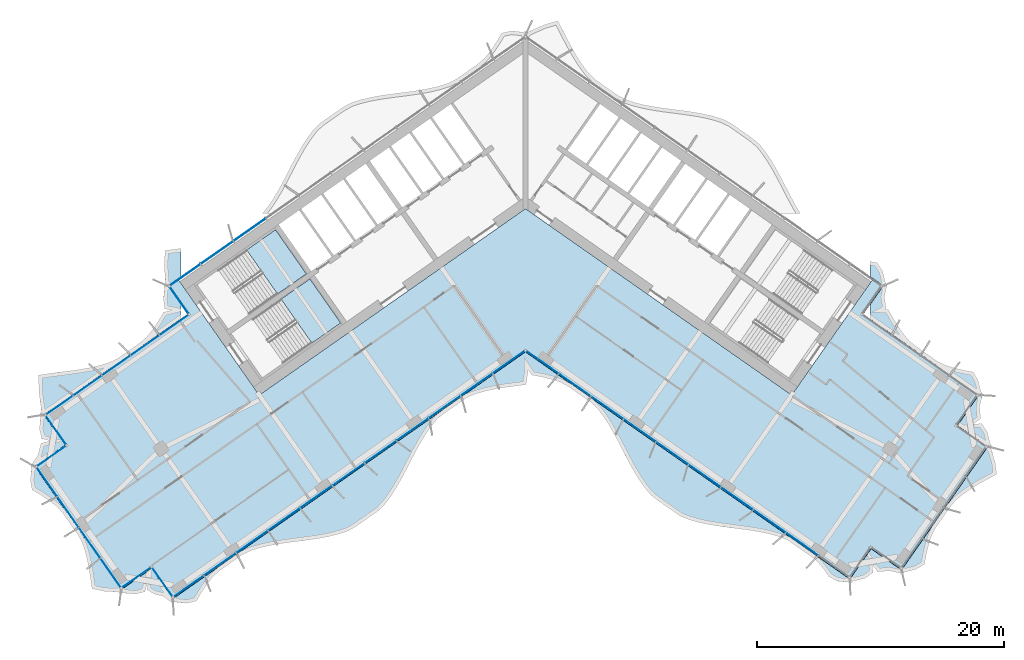
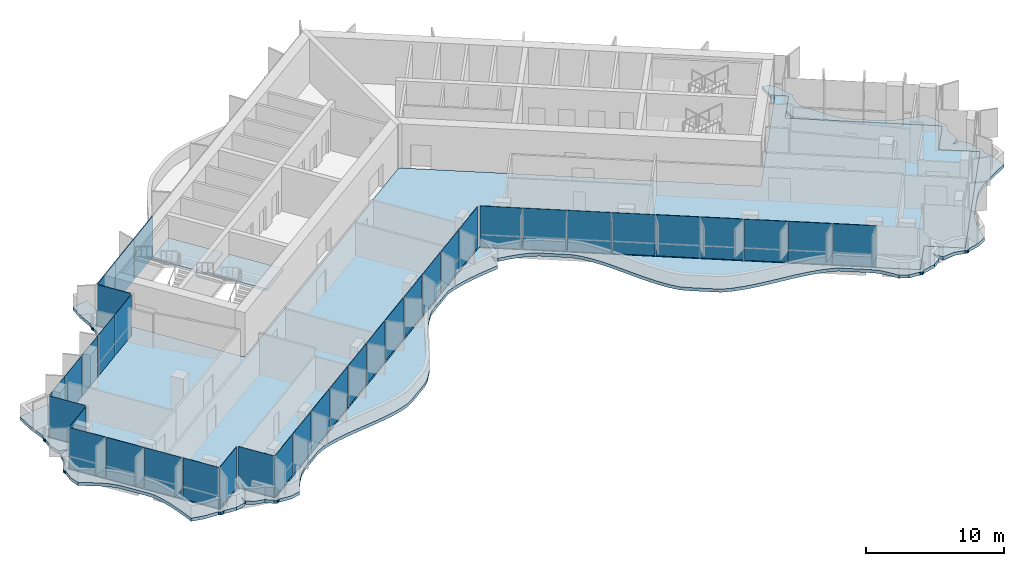
# One storey, part 10 of 21: 37 plates, 4 slabs, 4 elements without a shape of their own.
"""IFC4 building model written with IfcOpenShell, lengths in metres."""

from ifc_helpers import new_model, si_unit, direction, frame, origin, origin_2d, place, context, subcontext, project, spatial, polyline, rectangle, outline, extrude, material, layer, layer_set, type_object, element, aggregate, save


model = new_model("IFC4")

# Units and contexts
model_context = context("Model", 3, precision=1e-05, world=origin(), true_north=direction((0.0, 1.0)))
body_context = subcontext(model_context, "Body", "Model", "MODEL_VIEW")
ifc_project = project(units=[si_unit("LENGTHUNIT", "METRE"), si_unit("AREAUNIT", "SQUARE_METRE"), si_unit("VOLUMEUNIT", "CUBIC_METRE"), si_unit("PLANEANGLEUNIT", "RADIAN"), si_unit("MASSUNIT", "GRAM", prefix="KILO")], contexts=[model_context])

# Site, building, storey
site_placement = place(None, origin())
site = spatial("IfcSite", under=ifc_project, at=site_placement, CompositionType="ELEMENT")
building_placement = place(site_placement, origin())
building = spatial("IfcBuilding", under=site, at=building_placement, Name="Tel Ilan Convention Tower", CompositionType="ELEMENT")
storey_placement = place(building_placement, frame((0.0, 0.0, 151.5)))
storey = spatial("IfcBuildingStorey", under=building, at=storey_placement, Name="L34", CompositionType="ELEMENT", Elevation=151.5)

# Curtain wall, plates
ifc_material_1 = material(Name="Aluminium, bronze anodised", Category="aluminium")
curtain_wall_type_1 = type_object("IfcCurtainWallType", Name="CW4 STICK CURTAIN WALL, OFFICE TINTED GLASS", PredefinedType="NOTDEFINED", material=ifc_material_1)
curtain_wall_1_placement = place(storey_placement, origin())
curtain_wall_1 = element("IfcCurtainWall", 1, at=curtain_wall_1_placement, inside=storey, type_object=curtain_wall_type_1, Name="Curtain wall CW4-27.02", PredefinedType="NOTDEFINED")
ifc_material_2 = material(Name="Glass, bronze tinted, two-ply", Category="glass")
ifc_layer_1 = layer(ifc_material_2, 0.028076171875)
ifc_layer_set_1 = layer_set([ifc_layer_1], Name="CW GLASS PANEL 28")
plate_type_1 = type_object("IfcPlateType", Name="CW GLASS PANEL 28", PredefinedType="CURTAIN_PANEL", material=ifc_layer_set_1)
plate_1_placement = place(storey_placement, frame((-28.44677734375, -10.640625, 0.0), z_axis=(0.0, 0.0, 1.0), x_axis=(-0.819152044289, -0.573576436351, 0.0)))
plate_1 = element("IfcPlate", 2, at=plate_1_placement, type_object=plate_type_1, Name="Glass panel", PredefinedType="CURTAIN_PANEL", context=body_context, shape_type="SweptSolid", body=[
    extrude(rectangle(XDim=2.80908203125, YDim=0.028076171875, at=origin_2d()), origin(), (0.0, 0.0, 1.0), 3.6201171875),
])
plate_2_placement = place(storey_placement, frame((-30.784912109375, -12.278076171875, 0.0), z_axis=(0.0, 0.0, 1.0), x_axis=(-0.819152044289, -0.573576436351, 0.0)))
plate_2 = element("IfcPlate", 3, at=plate_2_placement, type_object=plate_type_1, Name="Glass panel", PredefinedType="CURTAIN_PANEL", context=body_context, shape_type="SweptSolid", body=[
    extrude(rectangle(XDim=2.780029296875, YDim=0.028076171875, at=origin_2d()), origin(), (0.0, 0.0, 1.0), 3.6201171875),
])
plate_3_placement = place(storey_placement, frame((-33.111328125, -13.906982421875, 0.0), z_axis=(0.0, 0.0, 1.0), x_axis=(-0.819152044289, -0.573576436351, 0.0)))
plate_3 = element("IfcPlate", 4, at=plate_3_placement, type_object=plate_type_1, Name="Glass panel", PredefinedType="CURTAIN_PANEL", context=body_context, shape_type="SweptSolid", body=[
    extrude(rectangle(XDim=2.780029296875, YDim=0.028076171875, at=origin_2d()), origin(), (0.0, 0.0, 1.0), 3.6201171875),
])
plate_4_placement = place(storey_placement, frame((-35.437744140625, -15.535888671875, 0.0), z_axis=(0.0, 0.0, 1.0), x_axis=(-0.819152044289, -0.573576436351, 0.0)))
plate_4 = element("IfcPlate", 5, at=plate_4_placement, type_object=plate_type_1, Name="Glass panel", PredefinedType="CURTAIN_PANEL", context=body_context, shape_type="SweptSolid", body=[
    extrude(rectangle(XDim=2.780029296875, YDim=0.028076171875, at=origin_2d()), origin(), (0.0, 0.0, 1.0), 3.6201171875),
])
plate_5_placement = place(storey_placement, frame((-37.7255859375, -17.137939453125, 0.0), z_axis=(0.0, 0.0, 1.0), x_axis=(-0.819152044289, -0.573576436351, 0.0)))
plate_5 = element("IfcPlate", 6, at=plate_5_placement, type_object=plate_type_1, Name="Glass panel", PredefinedType="CURTAIN_PANEL", context=body_context, shape_type="SweptSolid", body=[
    extrude(rectangle(XDim=2.68603515625, YDim=0.028076171875, at=origin_2d()), origin(), (0.0, 0.0, 1.0), 3.6201171875),
])
plate_6_placement = place(storey_placement, frame((-38.007080078125, -19.119140625, 0.0), z_axis=(0.0, 0.0, 1.0), x_axis=(0.573576436351, -0.819152044289, 0.0)))
plate_6 = element("IfcPlate", 7, at=plate_6_placement, type_object=plate_type_1, Name="Glass panel", PredefinedType="CURTAIN_PANEL", context=body_context, shape_type="SweptSolid", body=[
    extrude(rectangle(XDim=2.875, YDim=0.028076171875, at=origin_2d()), origin(), (0.0, 0.0, 1.0), 3.6201171875),
])
plate_7_placement = place(storey_placement, frame((-38.385009765625, -21.261962890625, 0.0), z_axis=(0.0, 0.0, 1.0), x_axis=(-0.819152044289, -0.573576436351, 0.0)))
plate_7 = element("IfcPlate", 8, at=plate_7_placement, type_object=plate_type_1, Name="Glass panel", PredefinedType="CURTAIN_PANEL", context=body_context, shape_type="SweptSolid", body=[
    extrude(rectangle(XDim=2.875, YDim=0.028076171875, at=origin_2d()), origin(), (0.0, 0.0, 1.0), 3.6201171875),
])
plate_8_placement = place(storey_placement, frame((-38.73779296875, -23.305908203125, 0.0), z_axis=(0.0, 0.0, 1.0), x_axis=(0.573576436351, -0.819152044289, 0.0)))
plate_8 = element("IfcPlate", 9, at=plate_8_placement, type_object=plate_type_1, Name="Glass panel", PredefinedType="CURTAIN_PANEL", context=body_context, shape_type="SweptSolid", body=[
    extrude(rectangle(XDim=2.89599609375, YDim=0.028076171875, at=origin_2d()), origin(), (0.0, 0.0, 1.0), 3.6201171875),
])
plate_9_placement = place(storey_placement, frame((-37.015380859375, -25.765869140625, 0.0), z_axis=(0.0, 0.0, 1.0), x_axis=(0.573576436351, -0.819152044289, 0.0)))
plate_9 = element("IfcPlate", 10, at=plate_9_placement, type_object=plate_type_1, Name="Glass panel", PredefinedType="CURTAIN_PANEL", context=body_context, shape_type="SweptSolid", body=[
    extrude(rectangle(XDim=2.989990234375, YDim=0.028076171875, at=origin_2d()), origin(), (0.0, 0.0, 1.0), 3.6201171875),
])
plate_10_placement = place(storey_placement, frame((-35.26611328125, -28.264404296875, 0.0), z_axis=(0.0, 0.0, 1.0), x_axis=(0.573576436351, -0.819152044289, 0.0)))
plate_10 = element("IfcPlate", 11, at=plate_10_placement, type_object=plate_type_1, Name="Glass panel", PredefinedType="CURTAIN_PANEL", context=body_context, shape_type="SweptSolid", body=[
    extrude(rectangle(XDim=2.989990234375, YDim=0.028076171875, at=origin_2d()), origin(), (0.0, 0.0, 1.0), 3.6201171875),
])
plate_11_placement = place(storey_placement, frame((-33.543701171875, -30.72412109375, 0.0), z_axis=(0.0, 0.0, 1.0), x_axis=(0.573576436351, -0.819152044289, 0.0)))
plate_11 = element("IfcPlate", 12, at=plate_11_placement, type_object=plate_type_1, Name="Glass panel", PredefinedType="CURTAIN_PANEL", context=body_context, shape_type="SweptSolid", body=[
    extrude(rectangle(XDim=2.89599609375, YDim=0.028076171875, at=origin_2d()), origin(), (0.0, 0.0, 1.0), 3.6201171875),
])
plate_12_placement = place(storey_placement, frame((-31.502197265625, -31.091796875, 0.0), z_axis=(0.0, 0.0, 1.0), x_axis=(0.819152044289, 0.573576436351, 0.0)))
plate_12 = element("IfcPlate", 13, at=plate_12_placement, type_object=plate_type_1, Name="Glass panel", PredefinedType="CURTAIN_PANEL", context=body_context, shape_type="SweptSolid", body=[
    extrude(rectangle(XDim=2.875, YDim=0.028076171875, at=origin_2d()), origin(), (0.0, 0.0, 1.0), 3.6201171875),
])
plate_13_placement = place(storey_placement, frame((-29.359375, -31.469482421875, 0.0), z_axis=(0.0, 0.0, 1.0), x_axis=(0.573576436351, -0.819152044289, 0.0)))
plate_13 = element("IfcPlate", 14, at=plate_13_placement, type_object=plate_type_1, Name="Glass panel", PredefinedType="CURTAIN_PANEL", context=body_context, shape_type="SweptSolid", body=[
    extrude(rectangle(XDim=2.875, YDim=0.028076171875, at=origin_2d()), origin(), (0.0, 0.0, 1.0), 3.6201171875),
])
plate_14_placement = place(storey_placement, frame((-27.26708984375, -31.78857421875, 0.0), z_axis=(0.0, 0.0, 1.0), x_axis=(0.819152044289, 0.573576436351, 0.0)))
plate_14 = element("IfcPlate", 15, at=plate_14_placement, type_object=plate_type_1, Name="Glass panel", PredefinedType="CURTAIN_PANEL", context=body_context, shape_type="SweptSolid", body=[
    extrude(rectangle(XDim=3.013916015625, YDim=0.028076171875, at=origin_2d()), origin(), (0.0, 0.0, 1.0), 3.6201171875),
])
plate_15_placement = place(storey_placement, frame((-24.71044921875, -29.99853515625, 0.0), z_axis=(0.0, 0.0, 1.0), x_axis=(0.819152044289, 0.573576436351, 0.0)))
plate_15 = element("IfcPlate", 16, at=plate_15_placement, type_object=plate_type_1, Name="Glass panel", PredefinedType="CURTAIN_PANEL", context=body_context, shape_type="SweptSolid", body=[
    extrude(rectangle(XDim=3.10791015625, YDim=0.028076171875, at=origin_2d()), origin(), (0.0, 0.0, 1.0), 3.6201171875),
])
plate_16_placement = place(storey_placement, frame((-22.115478515625, -28.181396484375, 0.0), z_axis=(0.0, 0.0, 1.0), x_axis=(0.819152044289, 0.573576436351, 0.0)))
plate_16 = element("IfcPlate", 17, at=plate_16_placement, type_object=plate_type_1, Name="Glass panel", PredefinedType="CURTAIN_PANEL", context=body_context, shape_type="SweptSolid", body=[
    extrude(rectangle(XDim=3.10791015625, YDim=0.028076171875, at=origin_2d()), origin(), (0.0, 0.0, 1.0), 3.6201171875),
])
plate_17_placement = place(storey_placement, frame((-19.520263671875, -26.3642578125, 0.0), z_axis=(0.0, 0.0, 1.0), x_axis=(0.819152044289, 0.573576436351, 0.0)))
plate_17 = element("IfcPlate", 18, at=plate_17_placement, type_object=plate_type_1, Name="Glass panel", PredefinedType="CURTAIN_PANEL", context=body_context, shape_type="SweptSolid", body=[
    extrude(rectangle(XDim=3.10791015625, YDim=0.028076171875, at=origin_2d()), origin(), (0.0, 0.0, 1.0), 3.6201171875),
])
plate_18_placement = place(storey_placement, frame((-16.92529296875, -24.54736328125, 0.0), z_axis=(0.0, 0.0, 1.0), x_axis=(0.819152044289, 0.573576436351, 0.0)))
plate_18 = element("IfcPlate", 19, at=plate_18_placement, type_object=plate_type_1, Name="Glass panel", PredefinedType="CURTAIN_PANEL", context=body_context, shape_type="SweptSolid", body=[
    extrude(rectangle(XDim=3.10791015625, YDim=0.028076171875, at=origin_2d()), origin(), (0.0, 0.0, 1.0), 3.6201171875),
])
plate_19_placement = place(storey_placement, frame((-14.330078125, -22.730224609375, 0.0), z_axis=(0.0, 0.0, 1.0), x_axis=(0.819152044289, 0.573576436351, 0.0)))
plate_19 = element("IfcPlate", 20, at=plate_19_placement, type_object=plate_type_1, Name="Glass panel", PredefinedType="CURTAIN_PANEL", context=body_context, shape_type="SweptSolid", body=[
    extrude(rectangle(XDim=3.10791015625, YDim=0.028076171875, at=origin_2d()), origin(), (0.0, 0.0, 1.0), 3.6201171875),
])
plate_20_placement = place(storey_placement, frame((-11.735107421875, -20.9130859375, 0.0), z_axis=(0.0, 0.0, 1.0), x_axis=(0.819152044289, 0.573576436351, 0.0)))
plate_20 = element("IfcPlate", 21, at=plate_20_placement, type_object=plate_type_1, Name="Glass panel", PredefinedType="CURTAIN_PANEL", context=body_context, shape_type="SweptSolid", body=[
    extrude(rectangle(XDim=3.10791015625, YDim=0.028076171875, at=origin_2d()), origin(), (0.0, 0.0, 1.0), 3.6201171875),
])
plate_21_placement = place(storey_placement, frame((-9.14013671875, -19.095947265625, 0.0), z_axis=(0.0, 0.0, 1.0), x_axis=(0.819152044289, 0.573576436351, 0.0)))
plate_21 = element("IfcPlate", 22, at=plate_21_placement, type_object=plate_type_1, Name="Glass panel", PredefinedType="CURTAIN_PANEL", context=body_context, shape_type="SweptSolid", body=[
    extrude(rectangle(XDim=3.10791015625, YDim=0.028076171875, at=origin_2d()), origin(), (0.0, 0.0, 1.0), 3.6201171875),
])
plate_22_placement = place(storey_placement, frame((-6.544921875, -17.27880859375, 0.0), z_axis=(0.0, 0.0, 1.0), x_axis=(0.819152044289, 0.573576436351, 0.0)))
plate_22 = element("IfcPlate", 23, at=plate_22_placement, type_object=plate_type_1, Name="Glass panel", PredefinedType="CURTAIN_PANEL", context=body_context, shape_type="SweptSolid", body=[
    extrude(rectangle(XDim=3.10791015625, YDim=0.028076171875, at=origin_2d()), origin(), (0.0, 0.0, 1.0), 3.6201171875),
])
plate_23_placement = place(storey_placement, frame((-3.949951171875, -15.4619140625, 0.0), z_axis=(0.0, 0.0, 1.0), x_axis=(0.819152044289, 0.573576436351, 0.0)))
plate_23 = element("IfcPlate", 24, at=plate_23_placement, type_object=plate_type_1, Name="Glass panel", PredefinedType="CURTAIN_PANEL", context=body_context, shape_type="SweptSolid", body=[
    extrude(rectangle(XDim=3.10791015625, YDim=0.028076171875, at=origin_2d()), origin(), (0.0, 0.0, 1.0), 3.6201171875),
])
plate_24_placement = place(storey_placement, frame((-1.355224609375, -13.64501953125, 0.0), z_axis=(0.0, 0.0, 1.0), x_axis=(0.819152044289, 0.573576436351, 0.0)))
plate_24 = element("IfcPlate", 25, at=plate_24_placement, type_object=plate_type_1, Name="Glass panel", PredefinedType="CURTAIN_PANEL", context=body_context, shape_type="SweptSolid", body=[
    extrude(rectangle(XDim=3.10693359375, YDim=0.028076171875, at=origin_2d()), origin(), (0.0, 0.0, 1.0), 3.6201171875),
])
plate_25_placement = place(storey_placement, frame((1.3818359375, -13.66357421875, 0.0), z_axis=(0.0, 0.0, 1.0), x_axis=(0.819152044289, -0.573576436351, 0.0)))
plate_25 = element("IfcPlate", 26, at=plate_25_placement, type_object=plate_type_1, Name="Glass panel", PredefinedType="CURTAIN_PANEL", context=body_context, shape_type="SweptSolid", body=[
    extrude(rectangle(XDim=3.11572265625, YDim=0.028076171875, at=origin_2d()), origin(), (0.0, 0.0, 1.0), 3.6201171875),
])
plate_26_placement = place(storey_placement, frame((3.9951171875, -15.493408203125, 0.0), z_axis=(0.0, 0.0, 1.0), x_axis=(0.819152044289, -0.573576436351, 0.0)))
plate_26 = element("IfcPlate", 27, at=plate_26_placement, type_object=plate_type_1, Name="Glass panel", PredefinedType="CURTAIN_PANEL", context=body_context, shape_type="SweptSolid", body=[
    extrude(rectangle(XDim=3.144775390625, YDim=0.028076171875, at=origin_2d()), origin(), (0.0, 0.0, 1.0), 3.6201171875),
])
plate_27_placement = place(storey_placement, frame((6.620361328125, -17.331787109375, 0.0), z_axis=(0.0, 0.0, 1.0), x_axis=(0.819152044289, -0.573576436351, 0.0)))
plate_27 = element("IfcPlate", 28, at=plate_27_placement, type_object=plate_type_1, Name="Glass panel", PredefinedType="CURTAIN_PANEL", context=body_context, shape_type="SweptSolid", body=[
    extrude(rectangle(XDim=3.144775390625, YDim=0.028076171875, at=origin_2d()), origin(), (0.0, 0.0, 1.0), 3.6201171875),
])
plate_28_placement = place(storey_placement, frame((9.24560546875, -19.169921875, 0.0), z_axis=(0.0, 0.0, 1.0), x_axis=(0.819152044289, -0.573576436351, 0.0)))
plate_28 = element("IfcPlate", 29, at=plate_28_placement, type_object=plate_type_1, Name="Glass panel", PredefinedType="CURTAIN_PANEL", context=body_context, shape_type="SweptSolid", body=[
    extrude(rectangle(XDim=3.144775390625, YDim=0.028076171875, at=origin_2d()), origin(), (0.0, 0.0, 1.0), 3.6201171875),
])
plate_29_placement = place(storey_placement, frame((11.870849609375, -21.008056640625, 0.0), z_axis=(0.0, 0.0, 1.0), x_axis=(0.819152044289, -0.573576436351, 0.0)))
plate_29 = element("IfcPlate", 30, at=plate_29_placement, type_object=plate_type_1, Name="Glass panel", PredefinedType="CURTAIN_PANEL", context=body_context, shape_type="SweptSolid", body=[
    extrude(rectangle(XDim=3.144775390625, YDim=0.028076171875, at=origin_2d()), origin(), (0.0, 0.0, 1.0), 3.6201171875),
])
plate_30_placement = place(storey_placement, frame((14.49609375, -22.84619140625, 0.0), z_axis=(0.0, 0.0, 1.0), x_axis=(0.819152044289, -0.573576436351, 0.0)))
plate_30 = element("IfcPlate", 31, at=plate_30_placement, type_object=plate_type_1, Name="Glass panel", PredefinedType="CURTAIN_PANEL", context=body_context, shape_type="SweptSolid", body=[
    extrude(rectangle(XDim=3.144775390625, YDim=0.028076171875, at=origin_2d()), origin(), (0.0, 0.0, 1.0), 3.6201171875),
])
plate_31_placement = place(storey_placement, frame((17.12109375, -24.684326171875, 0.0), z_axis=(0.0, 0.0, 1.0), x_axis=(0.819152044289, -0.573576436351, 0.0)))
plate_31 = element("IfcPlate", 32, at=plate_31_placement, type_object=plate_type_1, Name="Glass panel", PredefinedType="CURTAIN_PANEL", context=body_context, shape_type="SweptSolid", body=[
    extrude(rectangle(XDim=3.144775390625, YDim=0.028076171875, at=origin_2d()), origin(), (0.0, 0.0, 1.0), 3.6201171875),
])
plate_32_placement = place(storey_placement, frame((19.746337890625, -26.522705078125, 0.0), z_axis=(0.0, 0.0, 1.0), x_axis=(0.819152044289, -0.573576436351, 0.0)))
plate_32 = element("IfcPlate", 33, at=plate_32_placement, type_object=plate_type_1, Name="Glass panel", PredefinedType="CURTAIN_PANEL", context=body_context, shape_type="SweptSolid", body=[
    extrude(rectangle(XDim=3.144775390625, YDim=0.028076171875, at=origin_2d()), origin(), (0.0, 0.0, 1.0), 3.6201171875),
])
plate_33_placement = place(storey_placement, frame((22.37158203125, -28.36083984375, 0.0), z_axis=(0.0, 0.0, 1.0), x_axis=(0.819152044289, -0.573576436351, 0.0)))
plate_33 = element("IfcPlate", 34, at=plate_33_placement, type_object=plate_type_1, Name="Glass panel", PredefinedType="CURTAIN_PANEL", context=body_context, shape_type="SweptSolid", body=[
    extrude(rectangle(XDim=3.144775390625, YDim=0.028076171875, at=origin_2d()), origin(), (0.0, 0.0, 1.0), 3.6201171875),
])
aggregate(curtain_wall_1, [plate_1, plate_2, plate_3, plate_4, plate_5, plate_6, plate_7, plate_8, plate_9, plate_10, plate_11, plate_12, plate_13, plate_14, plate_15, plate_16, plate_17, plate_18, plate_19, plate_20, plate_21, plate_22, plate_23, plate_24, plate_25, plate_26, plate_27, plate_28, plate_29, plate_30, plate_31, plate_32, plate_33])

ifc_material_3 = material(Name="Aluminium, bronze anodised", Category="aluminium")
curtain_wall_type_2 = type_object("IfcCurtainWallType", Name="CW2 STICK CURTAIN WALL, SPANDREL PANELS", PredefinedType="NOTDEFINED", material=ifc_material_3)
curtain_wall_2_placement = place(storey_placement, origin())
curtain_wall_2 = element("IfcCurtainWall", 35, at=curtain_wall_2_placement, inside=storey, type_object=curtain_wall_type_2, Name="Curtain wall CW2-27.01", PredefinedType="NOTDEFINED")
ifc_material_4 = material(Name="Aluminium composite panel, bronze anodised", Category="aluminium")
ifc_layer_2 = layer(ifc_material_4, 0.06005859375)
ifc_layer_set_2 = layer_set([ifc_layer_2], Name="CW SPANDREL PANEL 60")
plate_type_2 = type_object("IfcPlateType", Name="CW SPANDREL PANEL 60", PredefinedType="CURTAIN_PANEL", material=ifc_layer_set_2)
plate_34_placement = place(storey_placement, frame((-22.31982421875, -2.9326171875, 0.0), z_axis=(0.0, 0.0, 1.0), x_axis=(-0.819152044289, -0.573576436351, 0.0)))
plate_34 = element("IfcPlate", 36, at=plate_34_placement, type_object=plate_type_2, Name="Spandrel panel", PredefinedType="CURTAIN_PANEL", context=body_context, shape_type="SweptSolid", body=[
    extrude(rectangle(XDim=3.15380859375, YDim=0.06005859375, at=origin_2d()), origin(), (0.0, 0.0, 1.0), 3.6201171875),
])
plate_35_placement = place(storey_placement, frame((-24.95263671875, -4.77587890625, 0.0), z_axis=(0.0, 0.0, 1.0), x_axis=(-0.819152044289, -0.573576436351, 0.0)))
plate_35 = element("IfcPlate", 37, at=plate_35_placement, type_object=plate_type_2, Name="Spandrel panel", PredefinedType="CURTAIN_PANEL", context=body_context, shape_type="SweptSolid", body=[
    extrude(rectangle(XDim=3.15380859375, YDim=0.06005859375, at=origin_2d()), origin(), (0.0, 0.0, 1.0), 3.6201171875),
])
plate_36_placement = place(storey_placement, frame((-27.5400390625, -6.587646484375, 0.0), z_axis=(0.0, 0.0, 1.0), x_axis=(-0.819152044289, -0.573576436351, 0.0)))
plate_36 = element("IfcPlate", 38, at=plate_36_placement, type_object=plate_type_2, Name="Spandrel panel", PredefinedType="CURTAIN_PANEL", context=body_context, shape_type="SweptSolid", body=[
    extrude(rectangle(XDim=3.0439453125, YDim=0.06005859375, at=origin_2d()), origin(), (0.0, 0.0, 1.0), 3.6201171875),
])
plate_37_placement = place(storey_placement, frame((-28.033935546875, -8.60546875, 0.0), z_axis=(0.0, 0.0, 1.0), x_axis=(0.573576436351, -0.819152044289, 0.0)))
plate_37 = element("IfcPlate", 39, at=plate_37_placement, type_object=plate_type_2, Name="Spandrel panel", PredefinedType="CURTAIN_PANEL", context=body_context, shape_type="SweptSolid", body=[
    extrude(rectangle(XDim=2.658935546875, YDim=0.06005859375, at=origin_2d()), origin(), (0.0, 0.0, 1.0), 3.6201171875),
])
aggregate(curtain_wall_2, [plate_34, plate_35, plate_36, plate_37])

# Stair, slab
ifc_material_5 = material(Name="Concrete C40/50", Category="concrete")
stair_type = type_object("IfcStairType", Name="Pressurised Exit Stair 22 risers 177 mm", PredefinedType="HALF_TURN_STAIR", material=ifc_material_5)
stair_1_placement = place(storey_placement, origin())
stair_1 = element("IfcStair", 40, at=stair_1_placement, inside=storey, type_object=stair_type, Name="L34 Pressurised Stair S1", PredefinedType="HALF_TURN_STAIR")
ifc_material_6 = material(Name="Concrete C40/50", Category="concrete")
ifc_layer_3 = layer(ifc_material_6, 0.199951171875)
ifc_layer_set_3 = layer_set([ifc_layer_3], Name="Concrete Stair Landing 200 mm C40/50")
slab_type_1 = type_object("IfcSlabType", Name="Concrete Stair Landing 200 mm", PredefinedType="LANDING", material=ifc_layer_set_3)
slab_1_placement = place(storey_placement, frame((0.0, 0.0, 1.75)))
slab_1 = element("IfcSlab", 41, at=slab_1_placement, type_object=slab_type_1, Name="S1 landing 1", PredefinedType="LANDING", context=body_context, shape_type="SweptSolid", body=[
    extrude(outline(polyline([(-20.066650390625, -8.130126953125), (-17.7314453125, -6.494873046875), (-20.226318359375, -2.931640625), (-22.561767578125, -4.566650390625), (-20.066650390625, -8.130126953125)])), origin(), (0.0, 0.0, 1.0), 0.199951171875),
])
aggregate(stair_1, [slab_1])

stair_2_placement = place(storey_placement, origin())
stair_2 = element("IfcStair", 42, at=stair_2_placement, inside=storey, type_object=stair_type, Name="L34 Pressurised Stair S2", PredefinedType="HALF_TURN_STAIR")
slab_2_placement = place(storey_placement, frame((0.0, 0.0, 1.75)))
slab_2 = element("IfcSlab", 43, at=slab_2_placement, type_object=slab_type_1, Name="S2 landing 1", PredefinedType="LANDING", context=body_context, shape_type="SweptSolid", body=[
    extrude(outline(polyline([(-17.28466796875, -12.10302734375), (-14.949462890625, -10.4677734375), (-17.444580078125, -6.904541015625), (-19.77978515625, -8.53955078125), (-17.28466796875, -12.10302734375)])), origin(), (0.0, 0.0, 1.0), 0.199951171875),
])
aggregate(stair_2, [slab_2])

# Slabs
ifc_material_7 = material(Name="Concrete C40/50", Category="concrete")
ifc_layer_4 = layer(ifc_material_7, 0.280029296875)
ifc_layer_set_4 = layer_set([ifc_layer_4], Name="Edge Ledge Slab 280 mm C40/50")
slab_type_2 = type_object("IfcSlabType", Name="Edge Ledge Slab 280 mm C40/50", PredefinedType="FLOOR", material=ifc_layer_set_4)
slab_3_placement = place(storey_placement, frame((0.0, 0.0, -0.280029296875)))
element("IfcSlab", 44, at=slab_3_placement, inside=storey, type_object=slab_type_2, Name="L34 edge ledge 1", PredefinedType="FLOOR", context=body_context, shape_type="SweptSolid", body=[
    extrude(outline(polyline([(-31.562744140625, -32.420166015625), (-32.5517578125, -32.31494140625), (-32.554931640625, -32.310302734375), (-32.60888671875, -32.346435546875), (-32.723876953125, -32.369384765625), (-32.838623046875, -32.346435546875), (-32.93603515625, -32.281494140625), (-32.96484375, -32.238037109375), (-32.969482421875, -32.241455078125), (-34.1298828125, -32.177734375), (-35.07666015625, -31.964599609375), (-35.189697265625, -31.16748046875), (-35.312744140625, -30.377685546875), (-35.46484375, -29.608154296875), (-35.656982421875, -28.86669921875), (-35.8984375, -28.15966796875), (-36.2626953125, -27.53857421875), (-37.49755859375, -25.77490234375), (-38.006591796875, -25.25537109375), (-38.60546875, -24.798583984375), (-39.250732421875, -24.374267578125), (-39.92822265625, -23.97265625), (-40.0625, -23.190673828125), (-39.96728515625, -22.247802734375), (-39.962646484375, -22.244384765625), (-39.99853515625, -22.1904296875), (-40.021484375, -22.07568359375), (-39.99853515625, -21.960693359375), (-39.93359375, -21.863525390625), (-39.890380859375, -21.834716796875), (-39.8935546875, -21.829833984375), (-39.44873046875, -21.157470703125), (-39.19921875, -20.20654296875), (-38.452392578125, -20.01123046875), (-39.13330078125, -19.83251953125), (-39.33544921875, -19.05859375), (-39.23046875, -18.069580078125), (-39.225830078125, -18.06640625), (-39.261962890625, -18.01220703125), (-39.284912109375, -17.8974609375), (-39.261962890625, -17.78271484375), (-39.197021484375, -17.685302734375), (-39.153564453125, -17.656494140625), (-39.15673828125, -17.651611328125), (-39.369873046875, -16.044677734375), (-39.404052734375, -14.692626953125), (-38.58203125, -14.563720703125), (-37.746826171875, -14.453369140625), (-36.90869140625, -14.34716796875), (-36.078125, -14.23046875), (-35.2646484375, -14.089111328125), (-34.477783203125, -13.91015625), (-33.72509765625, -13.68212890625), (-33.03466796875, -13.364990234375), (-31.197998046875, -12.0791015625), (-30.631591796875, -11.585205078125), (-30.14892578125, -10.971435546875), (-29.70263671875, -10.305908203125), (-29.284912109375, -9.59912109375), (-28.654296875, -9.439208984375), (-29.194091796875, -9.332763671875), (-29.29443359375, -8.548583984375), (-29.20458984375, -7.631103515625), (-29.199951171875, -7.6279296875), (-29.236083984375, -7.57373046875), (-29.2587890625, -7.458984375), (-29.236083984375, -7.34423828125), (-29.1708984375, -7.246826171875), (-29.127685546875, -7.218017578125), (-29.130859375, -7.21337890625), (-29.231689453125, -5.78515625), (-29.161865234375, -4.60107421875), (-28.33935546875, -4.49169921875), (-27.875, -4.4326171875), (-27.875, -6.7001953125), (-28.958740234375, -7.458984375), (-27.875, -9.007080078125), (-27.875, -10.1181640625), (-27.882568359375, -10.12353515625), (-38.74365234375, -17.728515625), (-38.98486328125, -17.8974609375), (-37.263916015625, -20.35498046875), (-38.2880859375, -21.072021484375), (-39.48046875, -21.90673828125), (-39.721435546875, -22.07568359375), (-32.723876953125, -32.0693359375), (-30.266357421875, -30.3486328125), (-29.57861328125, -31.3310546875), (-29.53759765625, -31.38916015625), (-28.714599609375, -32.56494140625), (-28.545654296875, -32.805908203125), (0.0, -12.818115234375), (26.251953125, -31.199951171875), (27.972900390625, -28.74267578125), (30.43017578125, -30.46337890625), (37.427978515625, -20.469482421875), (37.186767578125, -20.30078125), (36.19921875, -19.609375), (34.970458984375, -18.748779296875), (36.691162109375, -16.29150390625), (36.449951171875, -16.12255859375), (31.117919921875, -12.38916015625), (27.875, -10.1181640625), (27.875, -9.007080078125), (28.958740234375, -7.458984375), (27.875, -6.7001953125), (27.875, -5.485595703125), (28.465576171875, -5.595458984375), (28.894287109375, -6.267333984375), (29.130859375, -7.21337890625), (29.127685546875, -7.218017578125), (29.1708984375, -7.246826171875), (29.236083984375, -7.34423828125), (29.2587890625, -7.458984375), (29.236083984375, -7.57373046875), (29.199951171875, -7.6279296875), (29.20458984375, -7.631103515625), (29.044921875, -8.373779296875), (29.194091796875, -9.332763671875), (29.132080078125, -9.36474609375), (29.356201171875, -9.3759765625), (29.74560546875, -10.06201171875), (30.151123046875, -10.72509765625), (30.5849609375, -11.347900390625), (31.052978515625, -11.92138671875), (31.6103515625, -12.36767578125), (33.361328125, -13.59375), (34.017333984375, -13.899169921875), (34.732421875, -14.1201171875), (35.47900390625, -14.2958984375), (36.246826171875, -14.44140625), (36.63134765625, -15.134521484375), (36.86328125, -16.045654296875), (36.85986328125, -16.05029296875), (36.9033203125, -16.079345703125), (36.96826171875, -16.176513671875), (36.9912109375, -16.29150390625), (36.96826171875, -16.40625), (36.93212890625, -16.460205078125), (36.93701171875, -16.46337890625), (36.748779296875, -17.24755859375), (36.839599609375, -18.2265625), (36.20458984375, -18.665283203125), (36.905517578125, -18.6005859375), (37.3603515625, -19.258544921875), (37.599853515625, -20.223876953125), (37.5966796875, -20.228515625), (37.639892578125, -20.257568359375), (37.705078125, -20.354736328125), (37.727783203125, -20.469482421875), (37.705078125, -20.58447265625), (37.6689453125, -20.638427734375), (37.673583984375, -20.6416015625), (38.010498046875, -21.753662109375), (38.13427734375, -22.71630859375), (37.423828125, -23.09521484375), (36.7236328125, -23.48095703125), (36.052734375, -23.88720703125), (35.421630859375, -24.3212890625), (34.83984375, -24.7900390625), (34.380615234375, -25.344482421875), (33.145751953125, -27.108154296875), (32.83154296875, -27.764404296875), (32.607177734375, -28.4833984375), (32.42919921875, -29.234619140625), (32.28369140625, -30.0087890625), (31.594482421875, -30.402587890625), (30.676025390625, -30.635498046875), (30.67138671875, -30.632080078125), (30.642333984375, -30.67529296875), (30.544921875, -30.740478515625), (30.43017578125, -30.76318359375), (30.3154296875, -30.740478515625), (30.261474609375, -30.704345703125), (30.25830078125, -30.708984375), (29.47412109375, -30.52099609375), (28.4951171875, -30.61181640625), (28.056396484375, -29.976806640625), (28.12109375, -30.677490234375), (27.463134765625, -31.132568359375), (26.497802734375, -31.3720703125), (26.4931640625, -31.368896484375), (26.464111328125, -31.412109375), (26.36669921875, -31.477294921875), (26.251953125, -31.5), (26.13720703125, -31.477294921875), (26.083251953125, -31.441162109375), (26.080078125, -31.44580078125), (25.2314453125, -31.358154296875), (24.565673828125, -31.009765625), (24.111328125, -30.35888671875), (23.619384765625, -29.76220703125), (23.02734375, -29.308349609375), (21.19580078125, -28.02587890625), (20.475830078125, -27.7548828125), (19.716064453125, -27.540283203125), (18.924072265625, -27.372314453125), (18.10791015625, -27.23828125), (17.27685546875, -27.1259765625), (16.44091796875, -27.0205078125), (15.610107421875, -26.9072265625), (14.794677734375, -26.7724609375), (14.003662109375, -26.602783203125), (13.245361328125, -26.386474609375), (12.530029296875, -26.108642578125), (10.698486328125, -24.826171875), (10.110107421875, -24.3671875), (9.61962890625, -23.768310546875), (9.166748046875, -23.115478515625), (8.744384765625, -22.41943359375), (8.343994140625, -21.69189453125), (7.956298828125, -20.9462890625), (7.57080078125, -20.197509765625), (7.177490234375, -19.45947265625), (6.76708984375, -18.74658203125), (6.329833984375, -18.071533203125), (5.8583984375, -17.445556640625), (5.322509765625, -16.9111328125), (3.490966796875, -15.62890625), (2.833251953125, -15.268798828125), (2.093017578125, -15.0263671875), (1.31689453125, -14.835693359375), (0.51220703125, -14.685546875), (0.201416015625, -14.22314453125), (0.2060546875, -14.40478515625), (0.04248046875, -15.464111328125), (-0.788818359375, -15.569580078125), (-1.615234375, -15.681884765625), (-2.427001953125, -15.815185546875), (-3.214599609375, -15.983154296875), (-3.97021484375, -16.19677734375), (-4.686767578125, -16.466064453125), (-6.5087890625, -17.741943359375), (-7.10009765625, -18.190185546875), (-7.59033203125, -18.782470703125), (-8.043212890625, -19.428466796875), (-8.46533203125, -20.118408203125), (-8.864990234375, -20.840087890625), (-9.25146484375, -21.580810546875), (-9.634765625, -22.326416015625), (-10.024658203125, -23.06201171875), (-10.43115234375, -23.7744140625), (-10.86279296875, -24.4501953125), (-11.327880859375, -25.078857421875), (-11.846923828125, -25.63037109375), (-13.6689453125, -26.906005859375), (-14.308837890625, -27.284912109375), (-15.039794921875, -27.53369140625), (-15.80712890625, -27.73046875), (-16.60400390625, -27.885009765625), (-17.421875, -28.009765625), (-18.251220703125, -28.117919921875), (-19.08251953125, -28.2236328125), (-19.905029296875, -28.34130859375), (-20.7099609375, -28.484619140625), (-21.48779296875, -28.666259765625), (-22.2314453125, -28.897216796875), (-22.907470703125, -29.224365234375), (-24.7294921875, -30.5), (-25.286865234375, -30.996826171875), (-25.76416015625, -31.607666015625), (-26.2060546875, -32.269287109375), (-26.6201171875, -32.970703125), (-27.396484375, -33.154296875), (-28.37353515625, -33.0517578125), (-28.376953125, -33.047119140625), (-28.430908203125, -33.083251953125), (-28.545654296875, -33.10595703125), (-28.660400390625, -33.083251953125), (-28.7578125, -33.018310546875), (-28.78662109375, -32.974853515625), (-28.79150390625, -32.97802734375), (-29.2880859375, -32.593505859375), (-30.059814453125, -32.4013671875), (-30.615234375, -32.057861328125), (-30.573974609375, -31.399658203125), (-30.788818359375, -32.2177734375), (-31.562744140625, -32.420166015625)])), origin(), (0.0, 0.0, 1.0), 0.280029296875),
])
ifc_material_8 = material(Name="Concrete C40/50", Category="concrete")
ifc_layer_5 = layer(ifc_material_8, 0.280029296875)
ifc_layer_set_5 = layer_set([ifc_layer_5], Name="Flat Plate Floor Slab 280 mm C40/50")
slab_type_3 = type_object("IfcSlabType", Name="Flat Plate Floor Slab 280 mm C40/50", PredefinedType="FLOOR", material=ifc_layer_set_5)
slab_4_placement = place(storey_placement, frame((0.0, 0.0, -0.280029296875)))
element("IfcSlab", 45, at=slab_4_placement, inside=storey, type_object=slab_type_3, Name="L34 floor slab", PredefinedType="FLOOR", context=body_context, shape_type="SweptSolid", body=[
    extrude(outline(polyline([(37.186767578125, -20.30078125), (37.427978515625, -20.469482421875), (30.43017578125, -30.46337890625), (27.972900390625, -28.74267578125), (26.251953125, -31.199951171875), (0.0, -12.818115234375), (-28.545654296875, -32.805908203125), (-28.714599609375, -32.56494140625), (-29.57861328125, -31.3310546875), (-30.266357421875, -30.3486328125), (-32.723876953125, -32.0693359375), (-39.721435546875, -22.07568359375), (-39.48046875, -21.90673828125), (-38.448486328125, -21.18408203125), (-38.2880859375, -21.072021484375), (-37.263916015625, -20.35498046875), (-38.98486328125, -17.8974609375), (-38.74365234375, -17.728515625), (-27.598388671875, -9.9248046875), (-27.352783203125, -9.752685546875), (-28.958740234375, -7.458984375), (-28.1396484375, -6.885498046875), (-21.54345703125, -16.3056640625), (0.0, -1.220703125), (21.54345703125, -16.3056640625), (28.1396484375, -6.885498046875), (28.958740234375, -7.458984375), (27.352783203125, -9.752685546875), (27.627197265625, -9.944580078125), (36.449951171875, -16.12255859375), (36.691162109375, -16.29150390625), (34.970458984375, -18.748779296875), (36.19921875, -19.609375), (36.3935546875, -19.745361328125), (37.186767578125, -20.30078125)])), origin(), (0.0, 0.0, 1.0), 0.280029296875),
])

save(model, "model.ifc")
